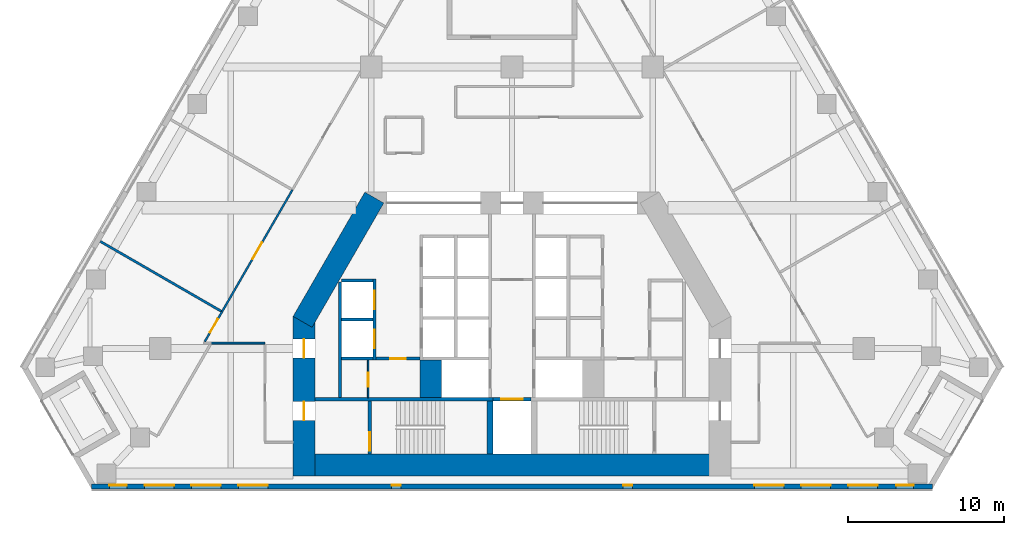
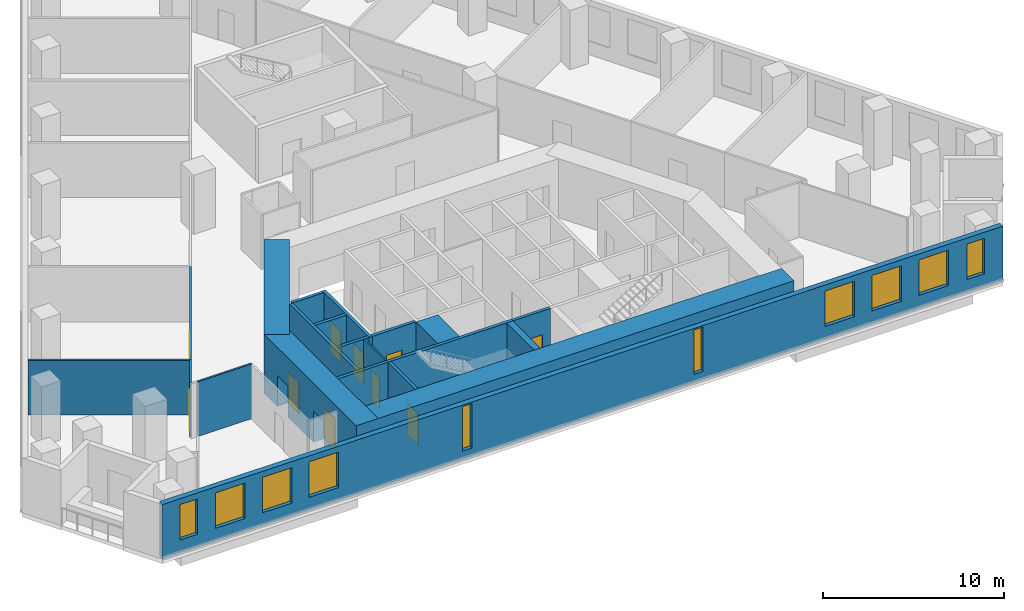
# One storey, part 3 of 9: 20 walls, 10 doors, 10 windows, 20 openings.
"""IFC4 building model written with IfcOpenShell, lengths in metres."""

from ifc_helpers import new_model, si_unit, direction, frame, frame_2d, origin, place, context, subcontext, project, spatial, rectangle, extrude, material, layer, layer_set, type_object, element, fill, save


model = new_model("IFC4")

# Units and contexts
model_context = context("Model", 3, precision=1e-05, world=origin(), true_north=direction((0.0, 1.0)))
body_context = subcontext(model_context, "Body", "Model", "MODEL_VIEW")
ifc_project = project(units=[si_unit("LENGTHUNIT", "METRE"), si_unit("AREAUNIT", "SQUARE_METRE"), si_unit("VOLUMEUNIT", "CUBIC_METRE"), si_unit("PLANEANGLEUNIT", "RADIAN"), si_unit("MASSUNIT", "GRAM", prefix="KILO")], contexts=[model_context])

# Site, building, storey
site_placement = place(None, origin())
site = spatial("IfcSite", under=ifc_project, at=site_placement, CompositionType="ELEMENT")
building_placement = place(site_placement, origin())
building = spatial("IfcBuilding", under=site, at=building_placement, Name="Fogline Exchange Tower", CompositionType="ELEMENT")
storey_placement = place(building_placement, frame((0.0, 0.0, 64.89990234375)))
storey = spatial("IfcBuildingStorey", under=building, at=storey_placement, Name="L13", CompositionType="ELEMENT", Elevation=64.89990234375)

# Wall, opening, door
ifc_material_1 = material(Name="Blockwork partition", Category="masonry")
ifc_layer_1 = layer(ifc_material_1, 0.10009765625)
ifc_layer_set_1 = layer_set([ifc_layer_1], Name="CW10")
wall_type_1 = type_object("IfcWallType", Name="CW10", PredefinedType="PARTITIONING", material=ifc_layer_set_1)
wall_1_placement = place(storey_placement, frame((-9.199951171875, 5.85009765625, 0.0), z_axis=(0.0, 0.0, 1.0), x_axis=(0.0, 1.0, 0.0)))
wall_1 = element("IfcWall", 1, at=wall_1_placement, inside=storey, type_object=wall_type_1, Name="WC partition", PredefinedType="PARTITIONING", context=body_context, shape_type="SweptSolid", body=[
    extrude(rectangle(XDim=2.39990234375, YDim=0.10009765625, at=frame_2d((1.199951171875, 0.0))), origin(), (0.0, 0.0, 1.0), 3.7001953125),
])
opening_1_placement = place(wall_1_placement, frame((0.699951171875, 0.0, 0.0)))
opening_1 = element("IfcOpeningElement", 2, at=opening_1_placement, cuts=wall_1, Name="Opening T04-C008", PredefinedType="OPENING", context=body_context, shape_type="SweptSolid", body=[
    extrude(rectangle(XDim=0.89990234375, YDim=2.10009765625, at=frame_2d((0.449951171875, 1.050048828125))), frame((0.0, 0.06005859375, 0.0), z_axis=(0.0, -1.0, 0.0), x_axis=(1.0, 0.0, 0.0)), (0.0, 0.0, 1.0), 0.1201171875),
])
ifc_material_2 = material(Name="Steel and timber fire door", Category="steel")
door_type_1 = type_object("IfcDoorType", Name="D-CS1", OperationType="SINGLE_SWING_RIGHT", PredefinedType="DOOR", material=ifc_material_2)
door_1_placement = place(opening_1_placement, origin())
door_1 = element("IfcDoor", 3, at=door_1_placement, inside=storey, type_object=door_type_1, Name="Door to Cleaner's Store", OperationType="SINGLE_SWING_LEFT", OverallHeight=2.10009765625, OverallWidth=0.89990234375, PredefinedType="DOOR", context=body_context, shape_type="SweptSolid", body=[
    extrude(rectangle(XDim=0.89990234375, YDim=2.10009765625, at=frame_2d((0.449951171875, 1.050048828125))), frame((0.0, 0.02490234375, 0.0), z_axis=(0.0, -1.0, 0.0), x_axis=(1.0, 0.0, 0.0)), (0.0, 0.0, 1.0), 0.050048828125),
])
fill(opening_1, door_1)

# Walls
ifc_material_3 = material(Name="Concrete C60", Category="concrete")
ifc_layer_2 = layer(ifc_material_3, 1.39990234375)
ifc_layer_set_2 = layer_set([ifc_layer_2], Name="CW140")
wall_type_2 = type_object("IfcWallType", Name="CW140", PredefinedType="SOLIDWALL", material=ifc_layer_set_2)
wall_2_placement = place(storey_placement, frame((-5.199951171875, 5.85009765625, -0.2998046875), z_axis=(0.0, 0.0, 1.0), x_axis=(0.0, 1.0, 0.0)))
element("IfcWall", 4, at=wall_2_placement, inside=storey, type_object=wall_type_2, Name="Lift shaft block wall", PredefinedType="SOLIDWALL", context=body_context, shape_type="SweptSolid", body=[
    extrude(rectangle(XDim=2.39990234375, YDim=1.39990234375, at=frame_2d((1.199951171875, 0.0))), origin(), (0.0, 0.0, 1.0), 4.0),
])
ifc_material_4 = material(Name="Concrete C40", Category="concrete")
ifc_layer_3 = layer(ifc_material_4, 0.199951171875)
ifc_layer_set_3 = layer_set([ifc_layer_3], Name="CW20")
wall_type_3 = type_object("IfcWallType", Name="CW20", PredefinedType="SOLIDWALL", material=ifc_layer_set_3)
wall_3_placement = place(storey_placement, frame((-11.0, 5.85009765625, 0.0), z_axis=(0.0, 0.0, 1.0), x_axis=(0.0, 1.0, 0.0)))
element("IfcWall", 5, at=wall_3_placement, inside=storey, type_object=wall_type_3, Name="Service room wall", PredefinedType="SOLIDWALL", context=body_context, shape_type="SweptSolid", body=[
    extrude(rectangle(XDim=7.39990234375, YDim=0.199951171875, at=frame_2d((3.699951171875, 0.0))), origin(), (0.0, 0.0, 1.0), 3.7001953125),
])

# Wall, opening, door
wall_4_placement = place(storey_placement, frame((-8.699951171875, 8.35009765625, 0.0), z_axis=(0.0, 0.0, 1.0), x_axis=(1.0, 0.0, 0.0)))
wall_4 = element("IfcWall", 6, at=wall_4_placement, inside=storey, type_object=wall_type_3, Name="WC wall", PredefinedType="SOLIDWALL", context=body_context, shape_type="SweptSolid", body=[
    extrude(rectangle(XDim=2.800048828125, YDim=0.199951171875, at=frame_2d((1.39990234375, 0.0))), origin(), (0.0, 0.0, 1.0), 3.7001953125),
])
opening_2_placement = place(wall_4_placement, frame((0.89990234375, 0.0, 0.0)))
opening_2 = element("IfcOpeningElement", 7, at=opening_2_placement, cuts=wall_4, Name="Opening T04-C007", PredefinedType="OPENING", context=body_context, shape_type="SweptSolid", body=[
    extrude(rectangle(XDim=1.0, YDim=2.10009765625, at=frame_2d((0.5, 1.050048828125))), frame((0.0, 0.10986328125, 0.0), z_axis=(0.0, -1.0, 0.0), x_axis=(1.0, 0.0, 0.0)), (0.0, 0.0, 1.0), 0.219970703125),
])
door_type_2 = type_object("IfcDoorType", Name="D-WC1", OperationType="SINGLE_SWING_LEFT", PredefinedType="DOOR", material=ifc_material_2)
door_2_placement = place(opening_2_placement, frame((1.0, 0.0, 0.0), z_axis=(0.0, 0.0, 1.0), x_axis=(-1.0, 0.0, 0.0)))
door_2 = element("IfcDoor", 8, at=door_2_placement, inside=storey, type_object=door_type_2, Name="Door to Men's WC", OperationType="SINGLE_SWING_LEFT", OverallHeight=2.10009765625, OverallWidth=1.0, PredefinedType="DOOR", context=body_context, shape_type="SweptSolid", body=[
    extrude(rectangle(XDim=1.0, YDim=2.10009765625, at=frame_2d((0.5, 1.050048828125))), frame((0.0, 0.02490234375, 0.0), z_axis=(0.0, -1.0, 0.0), x_axis=(1.0, 0.0, 0.0)), (0.0, 0.0, 1.0), 0.050048828125),
])
fill(opening_2, door_2)

# Wall
ifc_layer_4 = layer(ifc_material_4, 0.199951171875)
ifc_layer_set_4 = layer_set([ifc_layer_4], Name="CW20R")
wall_type_4 = type_object("IfcWallType", Name="CW20R", PredefinedType="SOLIDWALL", material=ifc_layer_set_4)
wall_5_placement = place(storey_placement, frame((-12.60009765625, 5.75, -0.2998046875), z_axis=(0.0, 0.0, 1.0), x_axis=(1.0, 0.0, 0.0)))
element("IfcWall", 9, at=wall_5_placement, inside=storey, type_object=wall_type_4, Name="Stair enclosure wall", PredefinedType="SOLIDWALL", context=body_context, shape_type="SweptSolid", body=[
    extrude(rectangle(XDim=11.400146484375, YDim=0.199951171875, at=frame_2d((5.7001953125, 0.0))), origin(), (0.0, 0.0, 1.0), 4.0),
])

# Wall, opening, door
wall_6_placement = place(storey_placement, frame((-1.199951171875, 5.75, -0.2998046875), z_axis=(0.0, 0.0, 1.0), x_axis=(1.0, 0.0, 0.0)))
wall_6 = element("IfcWall", 10, at=wall_6_placement, inside=storey, type_object=wall_type_4, Name="Stair enclosure wall", PredefinedType="SOLIDWALL", context=body_context, shape_type="SweptSolid", body=[
    extrude(rectangle(XDim=2.39990234375, YDim=0.199951171875, at=frame_2d((1.199951171875, 0.0))), origin(), (0.0, 0.0, 1.0), 4.0),
])
opening_3_placement = place(wall_6_placement, frame((0.5, 0.0, 0.300048828125)))
opening_3 = element("IfcOpeningElement", 11, at=opening_3_placement, cuts=wall_6, Name="Opening T04-LD09", PredefinedType="OPENING", context=body_context, shape_type="SweptSolid", body=[
    extrude(rectangle(XDim=1.39990234375, YDim=2.10009765625, at=frame_2d((0.699951171875, 1.050048828125))), frame((0.0, 0.10986328125, 0.0), z_axis=(0.0, -1.0, 0.0), x_axis=(1.0, 0.0, 0.0)), (0.0, 0.0, 1.0), 0.219970703125),
])
door_type_3 = type_object("IfcDoorType", Name="LD3", OperationType="SLIDING_TO_LEFT", PredefinedType="DOOR", material=ifc_material_2)
door_3_placement = place(opening_3_placement, origin())
door_3 = element("IfcDoor", 12, at=door_3_placement, inside=storey, type_object=door_type_3, Name="Landing door GL1", OperationType="SLIDING_TO_LEFT", OverallHeight=2.10009765625, OverallWidth=1.39990234375, PredefinedType="DOOR", context=body_context, shape_type="SweptSolid", body=[
    extrude(rectangle(XDim=1.39990234375, YDim=2.10009765625, at=frame_2d((0.699951171875, 1.050048828125))), frame((0.0, 0.02490234375, 0.0), z_axis=(0.0, -1.0, 0.0), x_axis=(1.0, 0.0, 0.0)), (0.0, 0.0, 1.0), 0.050048828125),
])
fill(opening_3, door_3)

wall_7_placement = place(storey_placement, frame((-9.10009765625, 2.25, -0.2998046875), z_axis=(0.0, 0.0, 1.0), x_axis=(0.0, 1.0, 0.0)))
wall_7 = element("IfcWall", 13, at=wall_7_placement, inside=storey, type_object=wall_type_4, Name="Stair enclosure wall", PredefinedType="SOLIDWALL", context=body_context, shape_type="SweptSolid", body=[
    extrude(rectangle(XDim=3.39990234375, YDim=0.199951171875, at=frame_2d((1.699951171875, 0.0))), origin(), (0.0, 0.0, 1.0), 4.0),
])
opening_4_placement = place(wall_7_placement, frame((0.199951171875, 0.0, 0.300048828125)))
opening_4 = element("IfcOpeningElement", 14, at=opening_4_placement, cuts=wall_7, Name="Opening T04-C010", PredefinedType="OPENING", context=body_context, shape_type="SweptSolid", body=[
    extrude(rectangle(XDim=1.199951171875, YDim=2.10009765625, at=frame_2d((0.60009765625, 1.050048828125))), frame((0.0, 0.10986328125, 0.0), z_axis=(0.0, -1.0, 0.0), x_axis=(1.0, 0.0, 0.0)), (0.0, 0.0, 1.0), 0.219970703125),
])
door_type_4 = type_object("IfcDoorType", Name="D-ST1", OperationType="SINGLE_SWING_LEFT", PredefinedType="DOOR", material=ifc_material_2)
door_4_placement = place(opening_4_placement, frame((1.199951171875, 0.0, 0.0), z_axis=(0.0, 0.0, 1.0), x_axis=(-1.0, 0.0, 0.0)))
door_4 = element("IfcDoor", 15, at=door_4_placement, inside=storey, type_object=door_type_4, Name="Stair door ST1", OperationType="SINGLE_SWING_RIGHT", OverallHeight=2.10009765625, OverallWidth=1.199951171875, PredefinedType="DOOR", context=body_context, shape_type="SweptSolid", body=[
    extrude(rectangle(XDim=1.199951171875, YDim=2.10009765625, at=frame_2d((0.60009765625, 1.050048828125))), frame((0.0, 0.02490234375, 0.0), z_axis=(0.0, -1.0, 0.0), x_axis=(1.0, 0.0, 0.0)), (0.0, 0.0, 1.0), 0.050048828125),
])
fill(opening_4, door_4)

# Wall, openings, doors
ifc_layer_5 = layer(ifc_material_4, 0.199951171875)
ifc_layer_set_5 = layer_set([ifc_layer_5], Name="CW20S")
wall_type_5 = type_object("IfcWallType", Name="CW20S", PredefinedType="SOLIDWALL", material=ifc_layer_set_5)
wall_8_placement = place(storey_placement, frame((-8.800048828125, 8.25, -0.2998046875), z_axis=(0.0, 0.0, 1.0), x_axis=(0.0, 1.0, 0.0)))
wall_8 = element("IfcWall", 16, at=wall_8_placement, inside=storey, type_object=wall_type_5, Name="Lift shaft wall", PredefinedType="SOLIDWALL", context=body_context, shape_type="SweptSolid", body=[
    extrude(rectangle(XDim=5.199951171875, YDim=0.199951171875, at=frame_2d((2.60009765625, 0.0))), origin(), (0.0, 0.0, 1.0), 4.0),
])
opening_5_placement = place(wall_8_placement, frame((0.75, 0.0, 0.300048828125)))
opening_5 = element("IfcOpeningElement", 17, at=opening_5_placement, cuts=wall_8, Name="Opening T04-LD01", PredefinedType="OPENING", context=body_context, shape_type="SweptSolid", body=[
    extrude(rectangle(XDim=1.199951171875, YDim=2.10009765625, at=frame_2d((0.60009765625, 1.050048828125))), frame((0.0, 0.10986328125, 0.0), z_axis=(0.0, -1.0, 0.0), x_axis=(1.0, 0.0, 0.0)), (0.0, 0.0, 1.0), 0.219970703125),
])
opening_6_placement = place(wall_8_placement, frame((3.25, 0.0, 0.300048828125)))
opening_6 = element("IfcOpeningElement", 18, at=opening_6_placement, cuts=wall_8, Name="Opening T04-LD02", PredefinedType="OPENING", context=body_context, shape_type="SweptSolid", body=[
    extrude(rectangle(XDim=1.199951171875, YDim=2.10009765625, at=frame_2d((0.60009765625, 1.050048828125))), frame((0.0, 0.10986328125, 0.0), z_axis=(0.0, -1.0, 0.0), x_axis=(1.0, 0.0, 0.0)), (0.0, 0.0, 1.0), 0.219970703125),
])
door_type_5 = type_object("IfcDoorType", Name="LD1", OperationType="SLIDING_TO_LEFT", PredefinedType="DOOR", material=ifc_material_2)
door_5_placement = place(opening_5_placement, origin())
door_5 = element("IfcDoor", 19, at=door_5_placement, inside=storey, type_object=door_type_5, Name="Landing door LR1", OperationType="SLIDING_TO_LEFT", OverallHeight=2.10009765625, OverallWidth=1.199951171875, PredefinedType="DOOR", context=body_context, shape_type="SweptSolid", body=[
    extrude(rectangle(XDim=1.199951171875, YDim=2.10009765625, at=frame_2d((0.60009765625, 1.050048828125))), frame((0.0, 0.02490234375, 0.0), z_axis=(0.0, -1.0, 0.0), x_axis=(1.0, 0.0, 0.0)), (0.0, 0.0, 1.0), 0.050048828125),
])
fill(opening_5, door_5)
door_6_placement = place(opening_6_placement, origin())
door_6 = element("IfcDoor", 20, at=door_6_placement, inside=storey, type_object=door_type_5, Name="Landing door LR2", OperationType="SLIDING_TO_LEFT", OverallHeight=2.10009765625, OverallWidth=1.199951171875, PredefinedType="DOOR", context=body_context, shape_type="SweptSolid", body=[
    extrude(rectangle(XDim=1.199951171875, YDim=2.10009765625, at=frame_2d((0.60009765625, 1.050048828125))), frame((0.0, 0.02490234375, 0.0), z_axis=(0.0, -1.0, 0.0), x_axis=(1.0, 0.0, 0.0)), (0.0, 0.0, 1.0), 0.050048828125),
])
fill(opening_6, door_6)

# Walls
for number, where, z_axis, x_axis, name in (
    (21, (-10.89990234375, 8.35009765625, -0.2998046875), (0.0, 0.0, 1.0), (1.0, 0.0, 0.0), "Lift shaft wall"),
    (22, (-10.89990234375, 10.85009765625, -0.2998046875), (0.0, 0.0, 1.0), (1.0, 0.0, 0.0), "Lift shaft wall"),
    (23, (-10.89990234375, 13.35009765625, -0.2998046875), (0.0, 0.0, 1.0), (1.0, 0.0, 0.0), "Lift shaft wall"),
):
    element("IfcWall", number, at=place(storey_placement, frame(where, z_axis=z_axis, x_axis=x_axis)), inside=storey, type_object=wall_type_5, Name=name, PredefinedType="SOLIDWALL", context=body_context, shape_type="SweptSolid", body=[
        extrude(rectangle(XDim=2.0, YDim=0.199951171875, at=frame_2d((1.0, 0.0))), origin(), (0.0, 0.0, 1.0), 4.0),
    ])
ifc_layer_6 = layer(ifc_material_4, 0.39990234375)
ifc_layer_set_6 = layer_set([ifc_layer_6], Name="CW40R")
wall_type_6 = type_object("IfcWallType", Name="CW40R", PredefinedType="SOLIDWALL", material=ifc_layer_set_6)
wall_9_placement = place(storey_placement, frame((-1.39990234375, 2.25, -0.2998046875), z_axis=(0.0, 0.0, 1.0), x_axis=(0.0, 1.0, 0.0)))
element("IfcWall", 24, at=wall_9_placement, inside=storey, type_object=wall_type_6, Name="Stair and lift shaft wall", PredefinedType="SOLIDWALL", context=body_context, shape_type="SweptSolid", body=[
    extrude(rectangle(XDim=3.39990234375, YDim=0.39990234375, at=frame_2d((1.699951171875, 0.0))), origin(), (0.0, 0.0, 1.0), 4.0),
])

# Wall, openings, windows
ifc_material_5 = material(Name="Brick masonry", Category="masonry")
ifc_layer_7 = layer(ifc_material_5, 0.340087890625)
ifc_layer_set_7 = layer_set([ifc_layer_7], Name="FW1")
wall_type_7 = type_object("IfcWallType", Name="FW1", PredefinedType="SOLIDWALL", material=ifc_layer_set_7)
wall_10_placement = place(storey_placement, frame((-26.8828125, 0.169921875, 0.0), z_axis=(0.0, 0.0, 1.0), x_axis=(1.0, 0.0, 0.0)))
wall_10 = element("IfcWall", 25, at=wall_10_placement, inside=storey, type_object=wall_type_7, Name="Brick wall L13 S", PredefinedType="SOLIDWALL", context=body_context, shape_type="SweptSolid", body=[
    extrude(rectangle(XDim=53.765625, YDim=0.340087890625, at=frame_2d((26.8828125, 0.0))), origin(), (0.0, 0.0, 1.0), 3.7001953125),
])
opening_7_placement = place(wall_10_placement, frame((3.3828125, 0.0, 0.89990234375)))
opening_7 = element("IfcOpeningElement", 26, at=opening_7_placement, cuts=wall_10, Name="Opening W1", PredefinedType="OPENING", context=body_context, shape_type="SweptSolid", body=[
    extrude(rectangle(XDim=1.885009765625, YDim=2.39990234375, at=frame_2d((0.9423828125, 1.199951171875))), frame((0.0, 0.18017578125, 0.0), z_axis=(0.0, -1.0, 0.0), x_axis=(1.0, 0.0, 0.0)), (0.0, 0.0, 1.0), 0.360107421875),
])
opening_8_placement = place(wall_10_placement, frame((6.3828125, 0.0, 0.89990234375)))
opening_8 = element("IfcOpeningElement", 27, at=opening_8_placement, cuts=wall_10, Name="Opening W1", PredefinedType="OPENING", context=body_context, shape_type="SweptSolid", body=[
    extrude(rectangle(XDim=1.885009765625, YDim=2.39990234375, at=frame_2d((0.9423828125, 1.199951171875))), frame((0.0, 0.18017578125, 0.0), z_axis=(0.0, -1.0, 0.0), x_axis=(1.0, 0.0, 0.0)), (0.0, 0.0, 1.0), 0.360107421875),
])
opening_9_placement = place(wall_10_placement, frame((9.3828125, 0.0, 0.89990234375)))
opening_9 = element("IfcOpeningElement", 28, at=opening_9_placement, cuts=wall_10, Name="Opening W1", PredefinedType="OPENING", context=body_context, shape_type="SweptSolid", body=[
    extrude(rectangle(XDim=1.885009765625, YDim=2.39990234375, at=frame_2d((0.9423828125, 1.199951171875))), frame((0.0, 0.18017578125, 0.0), z_axis=(0.0, -1.0, 0.0), x_axis=(1.0, 0.0, 0.0)), (0.0, 0.0, 1.0), 0.360107421875),
])
opening_10_placement = place(wall_10_placement, frame((42.3828125, 0.0, 0.89990234375)))
opening_10 = element("IfcOpeningElement", 29, at=opening_10_placement, cuts=wall_10, Name="Opening W1", PredefinedType="OPENING", context=body_context, shape_type="SweptSolid", body=[
    extrude(rectangle(XDim=1.885009765625, YDim=2.39990234375, at=frame_2d((0.9423828125, 1.199951171875))), frame((0.0, 0.18017578125, 0.0), z_axis=(0.0, -1.0, 0.0), x_axis=(1.0, 0.0, 0.0)), (0.0, 0.0, 1.0), 0.360107421875),
])
opening_11_placement = place(wall_10_placement, frame((45.3828125, 0.0, 0.89990234375)))
opening_11 = element("IfcOpeningElement", 30, at=opening_11_placement, cuts=wall_10, Name="Opening W1", PredefinedType="OPENING", context=body_context, shape_type="SweptSolid", body=[
    extrude(rectangle(XDim=1.885009765625, YDim=2.39990234375, at=frame_2d((0.9423828125, 1.199951171875))), frame((0.0, 0.18017578125, 0.0), z_axis=(0.0, -1.0, 0.0), x_axis=(1.0, 0.0, 0.0)), (0.0, 0.0, 1.0), 0.360107421875),
])
opening_12_placement = place(wall_10_placement, frame((48.3828125, 0.0, 0.89990234375)))
opening_12 = element("IfcOpeningElement", 31, at=opening_12_placement, cuts=wall_10, Name="Opening W1", PredefinedType="OPENING", context=body_context, shape_type="SweptSolid", body=[
    extrude(rectangle(XDim=1.885009765625, YDim=2.39990234375, at=frame_2d((0.9423828125, 1.199951171875))), frame((0.0, 0.18017578125, 0.0), z_axis=(0.0, -1.0, 0.0), x_axis=(1.0, 0.0, 0.0)), (0.0, 0.0, 1.0), 0.360107421875),
])
opening_13_placement = place(wall_10_placement, frame((1.1337890625, 0.0, 0.89990234375)))
opening_13 = element("IfcOpeningElement", 32, at=opening_13_placement, cuts=wall_10, Name="Opening W4", PredefinedType="OPENING", context=body_context, shape_type="SweptSolid", body=[
    extrude(rectangle(XDim=1.114990234375, YDim=2.39990234375, at=frame_2d((0.5576171875, 1.199951171875))), frame((0.0, 0.18017578125, 0.0), z_axis=(0.0, -1.0, 0.0), x_axis=(1.0, 0.0, 0.0)), (0.0, 0.0, 1.0), 0.360107421875),
])
opening_14_placement = place(wall_10_placement, frame((51.459228515625, 0.0, 0.89990234375)))
opening_14 = element("IfcOpeningElement", 33, at=opening_14_placement, cuts=wall_10, Name="Opening W4", PredefinedType="OPENING", context=body_context, shape_type="SweptSolid", body=[
    extrude(rectangle(XDim=1.114990234375, YDim=2.39990234375, at=frame_2d((0.5576171875, 1.199951171875))), frame((0.0, 0.18017578125, 0.0), z_axis=(0.0, -1.0, 0.0), x_axis=(1.0, 0.0, 0.0)), (0.0, 0.0, 1.0), 0.360107421875),
])
opening_15_placement = place(wall_10_placement, frame((19.182861328125, 0.0, 0.60009765625)))
opening_15 = element("IfcOpeningElement", 34, at=opening_15_placement, cuts=wall_10, Name="Opening W5", PredefinedType="OPENING", context=body_context, shape_type="SweptSolid", body=[
    extrude(rectangle(XDim=0.60009765625, YDim=3.0, at=frame_2d((0.300048828125, 1.5))), frame((0.0, 0.18017578125, 0.0), z_axis=(0.0, -1.0, 0.0), x_axis=(1.0, 0.0, 0.0)), (0.0, 0.0, 1.0), 0.360107421875),
])
opening_16_placement = place(wall_10_placement, frame((33.98291015625, 0.0, 0.60009765625)))
opening_16 = element("IfcOpeningElement", 35, at=opening_16_placement, cuts=wall_10, Name="Opening W5", PredefinedType="OPENING", context=body_context, shape_type="SweptSolid", body=[
    extrude(rectangle(XDim=0.60009765625, YDim=3.0, at=frame_2d((0.300048828125, 1.5))), frame((0.0, 0.18017578125, 0.0), z_axis=(0.0, -1.0, 0.0), x_axis=(1.0, 0.0, 0.0)), (0.0, 0.0, 1.0), 0.360107421875),
])
ifc_material_6 = material(Name="Aluminium and glass", Category="aluminium")
window_type_1 = type_object("IfcWindowType", Name="W1", PartitioningType="SINGLE_PANEL", PredefinedType="WINDOW", material=ifc_material_6)
window_1_placement = place(opening_7_placement, origin())
window_1 = element("IfcWindow", 36, at=window_1_placement, inside=storey, type_object=window_type_1, Name="W1 W1", OverallHeight=2.39990234375, OverallWidth=1.885009765625, PartitioningType="SINGLE_PANEL", PredefinedType="WINDOW", context=body_context, shape_type="SweptSolid", body=[
    extrude(rectangle(XDim=1.885009765625, YDim=2.39990234375, at=frame_2d((0.9423828125, 1.199951171875))), frame((0.0, 0.110107421875, 0.0), z_axis=(0.0, -1.0, 0.0), x_axis=(1.0, 0.0, 0.0)), (0.0, 0.0, 1.0), 0.06005859375),
])
fill(opening_7, window_1)
window_2_placement = place(opening_8_placement, origin())
window_2 = element("IfcWindow", 37, at=window_2_placement, inside=storey, type_object=window_type_1, Name="W1 W1", OverallHeight=2.39990234375, OverallWidth=1.885009765625, PartitioningType="SINGLE_PANEL", PredefinedType="WINDOW", context=body_context, shape_type="SweptSolid", body=[
    extrude(rectangle(XDim=1.885009765625, YDim=2.39990234375, at=frame_2d((0.9423828125, 1.199951171875))), frame((0.0, 0.110107421875, 0.0), z_axis=(0.0, -1.0, 0.0), x_axis=(1.0, 0.0, 0.0)), (0.0, 0.0, 1.0), 0.06005859375),
])
fill(opening_8, window_2)
window_3_placement = place(opening_9_placement, origin())
window_3 = element("IfcWindow", 38, at=window_3_placement, inside=storey, type_object=window_type_1, Name="W1 W1", OverallHeight=2.39990234375, OverallWidth=1.885009765625, PartitioningType="SINGLE_PANEL", PredefinedType="WINDOW", context=body_context, shape_type="SweptSolid", body=[
    extrude(rectangle(XDim=1.885009765625, YDim=2.39990234375, at=frame_2d((0.9423828125, 1.199951171875))), frame((0.0, 0.110107421875, 0.0), z_axis=(0.0, -1.0, 0.0), x_axis=(1.0, 0.0, 0.0)), (0.0, 0.0, 1.0), 0.06005859375),
])
fill(opening_9, window_3)
window_4_placement = place(opening_10_placement, origin())
window_4 = element("IfcWindow", 39, at=window_4_placement, inside=storey, type_object=window_type_1, Name="W1 W1", OverallHeight=2.39990234375, OverallWidth=1.885009765625, PartitioningType="SINGLE_PANEL", PredefinedType="WINDOW", context=body_context, shape_type="SweptSolid", body=[
    extrude(rectangle(XDim=1.885009765625, YDim=2.39990234375, at=frame_2d((0.9423828125, 1.199951171875))), frame((0.0, 0.110107421875, 0.0), z_axis=(0.0, -1.0, 0.0), x_axis=(1.0, 0.0, 0.0)), (0.0, 0.0, 1.0), 0.06005859375),
])
fill(opening_10, window_4)
window_5_placement = place(opening_11_placement, origin())
window_5 = element("IfcWindow", 40, at=window_5_placement, inside=storey, type_object=window_type_1, Name="W1 W1", OverallHeight=2.39990234375, OverallWidth=1.885009765625, PartitioningType="SINGLE_PANEL", PredefinedType="WINDOW", context=body_context, shape_type="SweptSolid", body=[
    extrude(rectangle(XDim=1.885009765625, YDim=2.39990234375, at=frame_2d((0.9423828125, 1.199951171875))), frame((0.0, 0.110107421875, 0.0), z_axis=(0.0, -1.0, 0.0), x_axis=(1.0, 0.0, 0.0)), (0.0, 0.0, 1.0), 0.06005859375),
])
fill(opening_11, window_5)
window_6_placement = place(opening_12_placement, origin())
window_6 = element("IfcWindow", 41, at=window_6_placement, inside=storey, type_object=window_type_1, Name="W1 W1", OverallHeight=2.39990234375, OverallWidth=1.885009765625, PartitioningType="SINGLE_PANEL", PredefinedType="WINDOW", context=body_context, shape_type="SweptSolid", body=[
    extrude(rectangle(XDim=1.885009765625, YDim=2.39990234375, at=frame_2d((0.9423828125, 1.199951171875))), frame((0.0, 0.110107421875, 0.0), z_axis=(0.0, -1.0, 0.0), x_axis=(1.0, 0.0, 0.0)), (0.0, 0.0, 1.0), 0.06005859375),
])
fill(opening_12, window_6)
window_type_2 = type_object("IfcWindowType", Name="W4", PartitioningType="SINGLE_PANEL", PredefinedType="WINDOW", material=ifc_material_6)
window_7_placement = place(opening_13_placement, origin())
window_7 = element("IfcWindow", 42, at=window_7_placement, inside=storey, type_object=window_type_2, Name="W4 W4", OverallHeight=2.39990234375, OverallWidth=1.114990234375, PartitioningType="SINGLE_PANEL", PredefinedType="WINDOW", context=body_context, shape_type="SweptSolid", body=[
    extrude(rectangle(XDim=1.114990234375, YDim=2.39990234375, at=frame_2d((0.5576171875, 1.199951171875))), frame((0.0, 0.110107421875, 0.0), z_axis=(0.0, -1.0, 0.0), x_axis=(1.0, 0.0, 0.0)), (0.0, 0.0, 1.0), 0.06005859375),
])
fill(opening_13, window_7)
window_8_placement = place(opening_14_placement, origin())
window_8 = element("IfcWindow", 43, at=window_8_placement, inside=storey, type_object=window_type_2, Name="W4 W4", OverallHeight=2.39990234375, OverallWidth=1.114990234375, PartitioningType="SINGLE_PANEL", PredefinedType="WINDOW", context=body_context, shape_type="SweptSolid", body=[
    extrude(rectangle(XDim=1.114990234375, YDim=2.39990234375, at=frame_2d((0.5576171875, 1.199951171875))), frame((0.0, 0.110107421875, 0.0), z_axis=(0.0, -1.0, 0.0), x_axis=(1.0, 0.0, 0.0)), (0.0, 0.0, 1.0), 0.06005859375),
])
fill(opening_14, window_8)
window_type_3 = type_object("IfcWindowType", Name="W5", PartitioningType="SINGLE_PANEL", PredefinedType="WINDOW", material=ifc_material_6)
window_9_placement = place(opening_15_placement, origin())
window_9 = element("IfcWindow", 44, at=window_9_placement, inside=storey, type_object=window_type_3, Name="W5 W5", OverallHeight=3.0, OverallWidth=0.60009765625, PartitioningType="SINGLE_PANEL", PredefinedType="WINDOW", context=body_context, shape_type="SweptSolid", body=[
    extrude(rectangle(XDim=0.60009765625, YDim=3.0, at=frame_2d((0.300048828125, 1.5))), frame((0.0, 0.110107421875, 0.0), z_axis=(0.0, -1.0, 0.0), x_axis=(1.0, 0.0, 0.0)), (0.0, 0.0, 1.0), 0.06005859375),
])
fill(opening_15, window_9)
window_10_placement = place(opening_16_placement, origin())
window_10 = element("IfcWindow", 45, at=window_10_placement, inside=storey, type_object=window_type_3, Name="W5 W5", OverallHeight=3.0, OverallWidth=0.60009765625, PartitioningType="SINGLE_PANEL", PredefinedType="WINDOW", context=body_context, shape_type="SweptSolid", body=[
    extrude(rectangle(XDim=0.60009765625, YDim=3.0, at=frame_2d((0.300048828125, 1.5))), frame((0.0, 0.110107421875, 0.0), z_axis=(0.0, -1.0, 0.0), x_axis=(1.0, 0.0, 0.0)), (0.0, 0.0, 1.0), 0.06005859375),
])
fill(opening_16, window_10)

# Wall, opening, door
ifc_material_7 = material(Name="Plasterboard corridor partition with mineral wool, 2 layers each side")
ifc_layer_8 = layer(ifc_material_7, 0.125)
ifc_layer_set_8 = layer_set([ifc_layer_8], Name="PW2")
wall_type_8 = type_object("IfcWallType", Name="PW2", PredefinedType="PARTITIONING", material=ifc_layer_set_8)
wall_11_placement = place(storey_placement, frame((-18.544677734375, 11.3505859375, 0.0), z_axis=(0.0, 0.0, 1.0), x_axis=(0.5000018851, 0.866024315419, 0.0)))
wall_11 = element("IfcWall", 46, at=wall_11_placement, inside=storey, type_object=wall_type_8, Name="wall-L13-W021", PredefinedType="PARTITIONING", context=body_context, shape_type="SweptSolid", body=[
    extrude(rectangle(XDim=9.0, YDim=0.125, at=frame_2d((4.5, 0.0))), origin(), (0.0, 0.0, 1.0), 3.7001953125),
])
opening_17_placement = place(wall_11_placement, frame((3.89990234375, 0.0, 0.0)))
opening_17 = element("IfcOpeningElement", 47, at=opening_17_placement, cuts=wall_11, Name="Opening T04-D013", PredefinedType="OPENING", context=body_context, shape_type="SweptSolid", body=[
    extrude(rectangle(XDim=1.199951171875, YDim=2.10009765625, at=frame_2d((0.60009765625, 1.050048828125))), frame((0.0, 0.072509765625, 0.0), z_axis=(0.0, -1.0, 0.0), x_axis=(1.0, 0.0, 0.0)), (0.0, 0.0, 1.0), 0.14501953125),
])
ifc_material_8 = material(Name="Fire-rated glazed door leaf with steel frame", Category="steel")
door_type_6 = type_object("IfcDoorType", Name="D5", OperationType="SINGLE_SWING_LEFT", PredefinedType="DOOR", material=ifc_material_8)
door_7_placement = place(opening_17_placement, origin())
door_7 = element("IfcDoor", 48, at=door_7_placement, inside=storey, type_object=door_type_6, Name="door-L13-D013", OperationType="SINGLE_SWING_LEFT", OverallHeight=2.10009765625, OverallWidth=1.199951171875, PredefinedType="DOOR", context=body_context, shape_type="SweptSolid", body=[
    extrude(rectangle(XDim=1.199951171875, YDim=2.10009765625, at=frame_2d((0.60009765625, 1.050048828125))), frame((0.0, 0.02490234375, 0.0), z_axis=(0.0, -1.0, 0.0), x_axis=(1.0, 0.0, 0.0)), (0.0, 0.0, 1.0), 0.050048828125),
])
fill(opening_17, door_7)

wall_12_placement = place(storey_placement, frame((-19.651123046875, 9.43408203125, 0.0), z_axis=(0.0, 0.0, 1.0), x_axis=(0.499983483481, 0.866034939391, 0.0)))
wall_12 = element("IfcWall", 49, at=wall_12_placement, inside=storey, type_object=wall_type_8, Name="wall-L13-W023", PredefinedType="PARTITIONING", context=body_context, shape_type="SweptSolid", body=[
    extrude(rectangle(XDim=2.212890625, YDim=0.125, at=frame_2d((1.1064453125, 0.0))), origin(), (0.0, 0.0, 1.0), 3.7001953125),
])
opening_18_placement = place(wall_12_placement, frame((0.671142578125, 0.0, 0.0)))
opening_18 = element("IfcOpeningElement", 50, at=opening_18_placement, cuts=wall_12, Name="Opening T04-D014", PredefinedType="OPENING", context=body_context, shape_type="SweptSolid", body=[
    extrude(rectangle(XDim=1.0, YDim=2.10009765625, at=frame_2d((0.5, 1.050048828125))), frame((0.0, 0.072509765625, 0.0), z_axis=(0.0, -1.0, 0.0), x_axis=(1.0, 0.0, 0.0)), (0.0, 0.0, 1.0), 0.14501953125),
])
ifc_material_9 = material(Name="Fire-rated timber door leaf with steel frame", Category="steel")
door_type_7 = type_object("IfcDoorType", Name="D3", OperationType="SINGLE_SWING_LEFT", PredefinedType="DOOR", material=ifc_material_9)
door_8_placement = place(opening_18_placement, origin())
door_8 = element("IfcDoor", 51, at=door_8_placement, inside=storey, type_object=door_type_7, Name="door-L13-D014", OperationType="SINGLE_SWING_RIGHT", OverallHeight=2.10009765625, OverallWidth=1.0, PredefinedType="DOOR", context=body_context, shape_type="SweptSolid", body=[
    extrude(rectangle(XDim=1.0, YDim=2.10009765625, at=frame_2d((0.5, 1.050048828125))), frame((0.0, 0.02490234375, 0.0), z_axis=(0.0, -1.0, 0.0), x_axis=(1.0, 0.0, 0.0)), (0.0, 0.0, 1.0), 0.050048828125),
])
fill(opening_18, door_8)

# Walls
wall_13_placement = place(storey_placement, frame((-15.800048828125, 9.340087890625, 0.0), z_axis=(0.0, 0.0, 1.0), x_axis=(-1.0, 0.0, 0.0)))
element("IfcWall", 52, at=wall_13_placement, inside=storey, type_object=wall_type_8, Name="wall-L13-W024", PredefinedType="PARTITIONING", context=body_context, shape_type="SweptSolid", body=[
    extrude(rectangle(XDim=3.443603515625, YDim=0.125, at=frame_2d((1.7216796875, 0.0))), origin(), (0.0, 0.0, 1.0), 3.7001953125),
])
ifc_material_10 = material(Name="Plasterboard demising partition with mineral wool and acoustic board")
ifc_layer_9 = layer(ifc_material_10, 0.14990234375)
ifc_layer_set_9 = layer_set([ifc_layer_9], Name="PW3")
wall_type_9 = type_object("IfcWallType", Name="PW3", PredefinedType="PARTITIONING", material=ifc_layer_set_9)
wall_14_placement = place(storey_placement, frame((-18.598876953125, 11.3818359375, 0.0), z_axis=(0.0, 0.0, 1.0), x_axis=(-0.866022276127, 0.500005417223, 0.0)))
element("IfcWall", 53, at=wall_14_placement, inside=storey, type_object=wall_type_9, Name="wall-L13-W044", PredefinedType="PARTITIONING", context=body_context, shape_type="SweptSolid", body=[
    extrude(rectangle(XDim=8.9375, YDim=0.14990234375, at=frame_2d((4.46875, 0.0))), origin(), (0.0, 0.0, 1.0), 3.7001953125),
])
ifc_layer_10 = layer(ifc_material_3, 1.39990234375)
ifc_layer_set_10 = layer_set([ifc_layer_10], Name="SW01")
wall_type_10 = type_object("IfcWallType", Name="SW01", PredefinedType="SHEAR", material=ifc_layer_set_10)
wall_15_placement = place(storey_placement, frame((-14.0, 1.550048828125, 0.0), z_axis=(0.0, 0.0, 1.0), x_axis=(1.0, 0.0, 0.0)))
element("IfcWall", 54, at=wall_15_placement, inside=storey, type_object=wall_type_10, Name="L13-W901", PredefinedType="SHEAR", context=body_context, shape_type="SweptSolid", body=[
    extrude(rectangle(XDim=28.0, YDim=1.39990234375, at=frame_2d((14.0, 0.0))), origin(), (0.0, 0.0, 1.0), 4.0),
])
wall_16_placement = place(storey_placement, frame((-8.805419921875, 18.64990234375, 0.0), z_axis=(0.0, 0.0, 1.0), x_axis=(-0.50000187635, -0.866024320471, 0.0)))
element("IfcWall", 55, at=wall_16_placement, inside=storey, type_object=wall_type_10, Name="L13-W905", PredefinedType="SHEAR", context=body_context, shape_type="SweptSolid", body=[
    extrude(rectangle(XDim=9.1767578125, YDim=1.39990234375, at=frame_2d((4.58837890625, 0.0))), origin(), (0.0, 0.0, 1.0), 4.0),
])

# Wall, openings, doors
wall_17_placement = place(storey_placement, frame((-13.300048828125, 11.052490234375, 0.0), z_axis=(0.0, 0.0, 1.0), x_axis=(0.0, -1.0, 0.0)))
wall_17 = element("IfcWall", 56, at=wall_17_placement, inside=storey, type_object=wall_type_10, Name="L13-W906", PredefinedType="SHEAR", context=body_context, shape_type="SweptSolid", body=[
    extrude(rectangle(XDim=10.202392578125, YDim=1.39990234375, at=frame_2d((5.10107421875, 0.0))), origin(), (0.0, 0.0, 1.0), 4.0),
])
opening_19_placement = place(wall_17_placement, frame((5.45263671875, 0.0, 0.0)))
opening_19 = element("IfcOpeningElement", 57, at=opening_19_placement, cuts=wall_17, Name="Opening T04-C009", PredefinedType="OPENING", context=body_context, shape_type="SweptSolid", body=[
    extrude(rectangle(XDim=1.199951171875, YDim=2.10009765625, at=frame_2d((0.60009765625, 1.050048828125))), frame((0.0, 0.7099609375, 0.0), z_axis=(0.0, -1.0, 0.0), x_axis=(1.0, 0.0, 0.0)), (0.0, 0.0, 1.0), 1.419921875),
])
opening_20_placement = place(wall_17_placement, frame((1.45263671875, 0.0, 0.0)))
opening_20 = element("IfcOpeningElement", 58, at=opening_20_placement, cuts=wall_17, Name="Opening T04-C011", PredefinedType="OPENING", context=body_context, shape_type="SweptSolid", body=[
    extrude(rectangle(XDim=1.199951171875, YDim=2.10009765625, at=frame_2d((0.60009765625, 1.050048828125))), frame((0.0, 0.7099609375, 0.0), z_axis=(0.0, -1.0, 0.0), x_axis=(1.0, 0.0, 0.0)), (0.0, 0.0, 1.0), 1.419921875),
])
door_type_8 = type_object("IfcDoorType", Name="D-FR1", OperationType="SINGLE_SWING_RIGHT", PredefinedType="DOOR", material=ifc_material_2)
door_9_placement = place(opening_19_placement, origin())
door_9 = element("IfcDoor", 59, at=door_9_placement, inside=storey, type_object=door_type_8, Name="Front room door ST1", OperationType="SINGLE_SWING_LEFT", OverallHeight=2.10009765625, OverallWidth=1.199951171875, PredefinedType="DOOR", context=body_context, shape_type="SweptSolid", body=[
    extrude(rectangle(XDim=1.199951171875, YDim=2.10009765625, at=frame_2d((0.60009765625, 1.050048828125))), frame((0.0, 0.02490234375, 0.0), z_axis=(0.0, -1.0, 0.0), x_axis=(1.0, 0.0, 0.0)), (0.0, 0.0, 1.0), 0.050048828125),
])
fill(opening_19, door_9)
door_type_9 = type_object("IfcDoorType", Name="D-SV1", OperationType="SINGLE_SWING_LEFT", PredefinedType="DOOR", material=ifc_material_2)
door_10_placement = place(opening_20_placement, origin())
door_10 = element("IfcDoor", 60, at=door_10_placement, inside=storey, type_object=door_type_9, Name="Service door W", OperationType="SINGLE_SWING_LEFT", OverallHeight=2.10009765625, OverallWidth=1.199951171875, PredefinedType="DOOR", context=body_context, shape_type="SweptSolid", body=[
    extrude(rectangle(XDim=1.199951171875, YDim=2.10009765625, at=frame_2d((0.60009765625, 1.050048828125))), frame((0.0, 0.02490234375, 0.0), z_axis=(0.0, -1.0, 0.0), x_axis=(1.0, 0.0, 0.0)), (0.0, 0.0, 1.0), 0.050048828125),
])
fill(opening_20, door_10)

save(model, "model.ifc")
